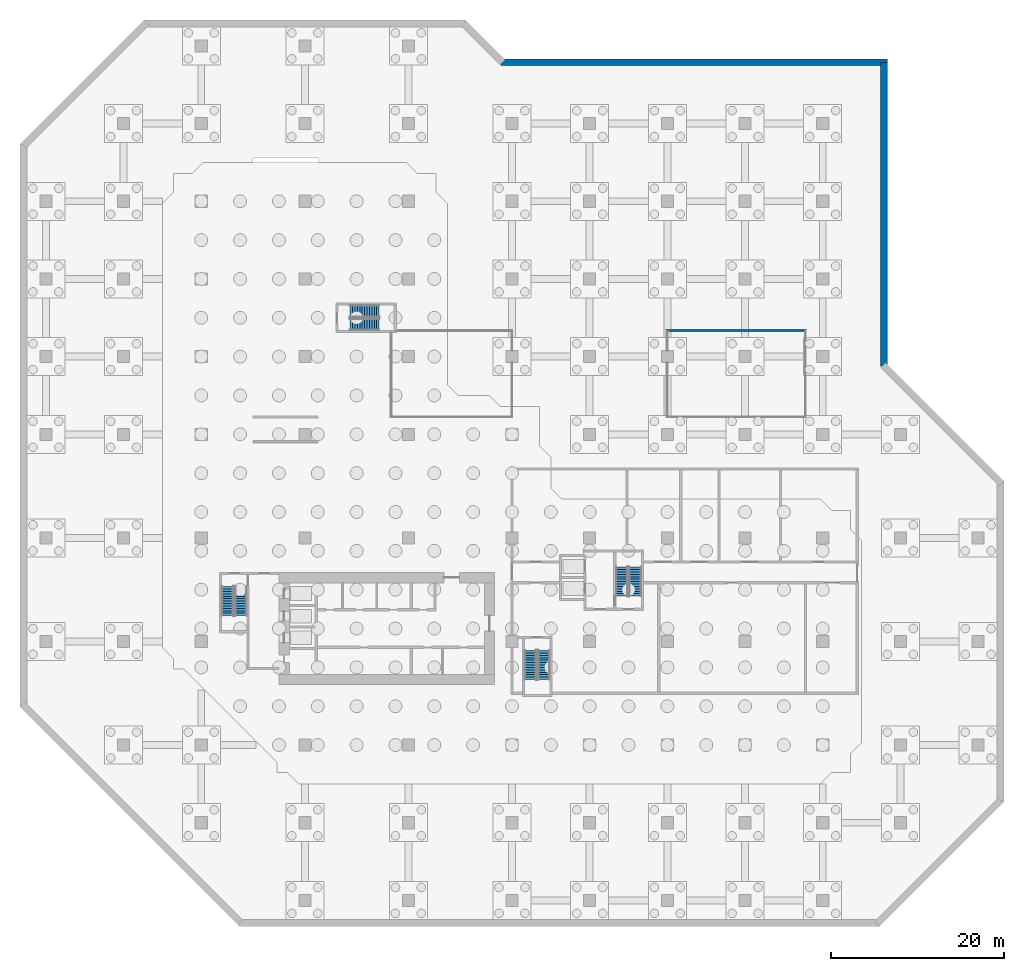
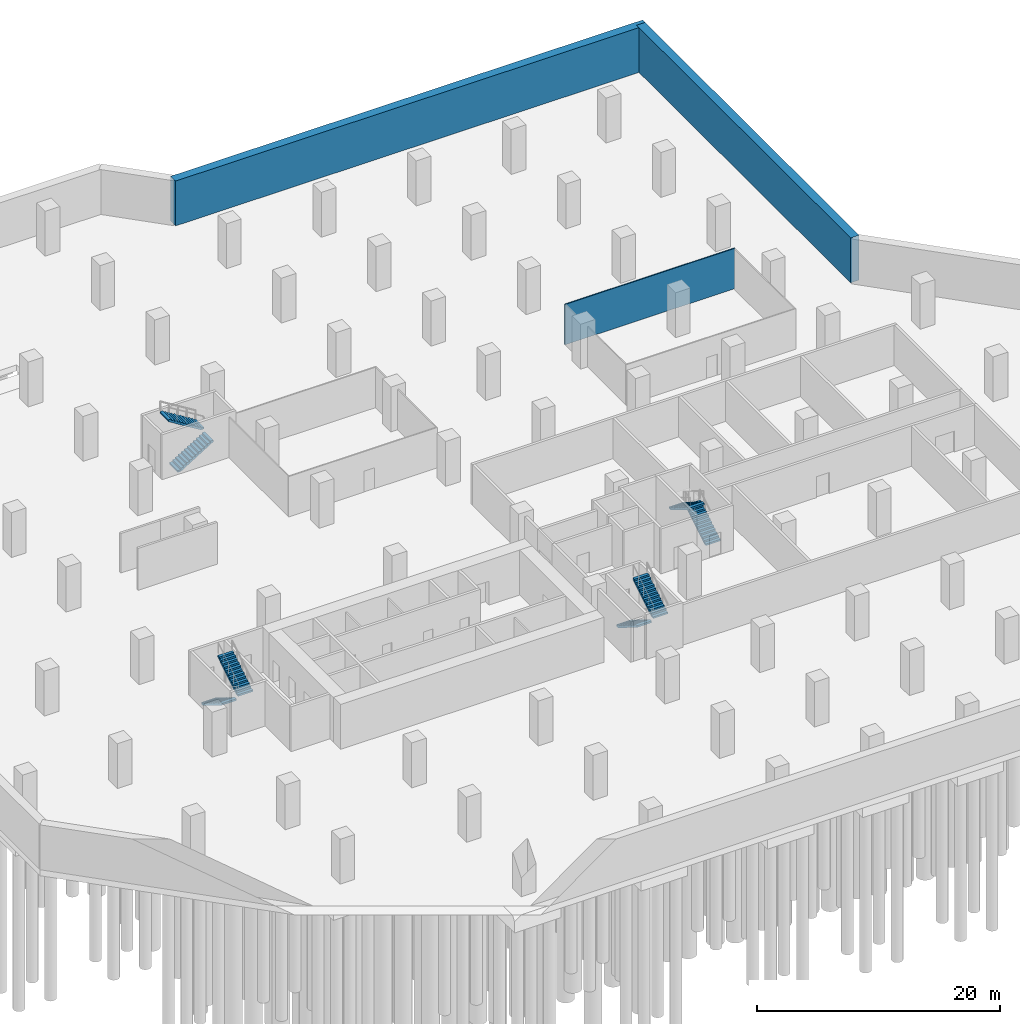
# One storey, part 11 of 13: 8 stair flights, 3 walls, 4 elements without a shape of their own.
"""IFC4 building model written with IfcOpenShell, lengths in metres."""

from ifc_helpers import new_model, si_unit, direction, frame, frame_2d, origin, place, context, subcontext, project, spatial, polyline, rectangle, outline, extrude, material, layer, layer_set, type_object, element, aggregate, save


model = new_model("IFC4")

# Units and contexts
model_context = context("Model", 3, precision=1e-05, world=origin(), true_north=direction((0.0, 1.0)))
body_context = subcontext(model_context, "Body", "Model", "MODEL_VIEW")
ifc_project = project(units=[si_unit("LENGTHUNIT", "METRE"), si_unit("AREAUNIT", "SQUARE_METRE"), si_unit("VOLUMEUNIT", "CUBIC_METRE"), si_unit("PLANEANGLEUNIT", "RADIAN"), si_unit("MASSUNIT", "GRAM", prefix="KILO")], contexts=[model_context])

# Site, building, storey
site_placement = place(None, origin())
site = spatial("IfcSite", under=ifc_project, at=site_placement, CompositionType="ELEMENT")
building_placement = place(site_placement, origin())
building = spatial("IfcBuilding", under=site, at=building_placement, Name="Chenar Terraces", CompositionType="ELEMENT")
storey_placement = place(building_placement, frame((0.0, 0.0, -13.5)))
storey = spatial("IfcBuildingStorey", under=building, at=storey_placement, Name="B3", CompositionType="ELEMENT", Elevation=-13.5)

# Walls
ifc_material_1 = material(Name="Concrete C40/50", Category="concrete")
ifc_layer_1 = layer(ifc_material_1, 0.800048828125)
ifc_layer_set_1 = layer_set([ifc_layer_1], Name="Concrete C40/50")
wall_type_1 = type_object("IfcWallType", Name="Diaphragm wall 800 Concrete C40/50", PredefinedType="SOLIDWALL", material=ifc_layer_set_1)
wall_1_placement = place(storey_placement, frame((79.10009765625, 43.91162109375, 0.0), z_axis=(0.0, 0.0, 1.0), x_axis=(0.0, 1.0, 0.0)))
element("IfcWall", 1, at=wall_1_placement, inside=storey, type_object=wall_type_1, Name="Diaphragm wall B3 10", PredefinedType="SOLIDWALL", context=body_context, shape_type="SweptSolid", body=[
    extrude(rectangle(XDim=35.1884765625, YDim=0.800048828125, at=frame_2d((17.59423828125, 0.0))), origin(), (0.0, 0.0, 1.0), 4.5),
])
wall_2_placement = place(storey_placement, frame((79.5, 79.10009765625, 0.0), z_axis=(0.0, 0.0, 1.0), x_axis=(-1.0, 0.0, 0.0)))
element("IfcWall", 2, at=wall_2_placement, inside=storey, type_object=wall_type_1, Name="Diaphragm wall B3 11", PredefinedType="SOLIDWALL", context=body_context, shape_type="SweptSolid", body=[
    extrude(rectangle(XDim=44.754150390625, YDim=0.800048828125, at=frame_2d((22.376953125, 0.0))), origin(), (0.0, 0.0, 1.0), 4.5),
])
ifc_material_2 = material(Name="Gypsum board on steel studs", Category="steel")
ifc_layer_2 = layer(ifc_material_2, 0.10009765625)
ifc_layer_set_2 = layer_set([ifc_layer_2], Name="Gypsum board on steel studs")
wall_type_2 = type_object("IfcWallType", Name="Gypsum partition 100", PredefinedType="PARTITIONING", material=ifc_layer_set_2)
wall_3_placement = place(storey_placement, frame((53.949951171875, 48.0, 0.0), z_axis=(0.0, 0.0, 1.0), x_axis=(1.0, 0.0, 0.0)))
element("IfcWall", 3, at=wall_3_placement, inside=storey, type_object=wall_type_2, Name="Partition B3-021", PredefinedType="PARTITIONING", context=body_context, shape_type="SweptSolid", body=[
    extrude(rectangle(XDim=16.10009765625, YDim=0.10009765625, at=frame_2d((8.050048828125, 0.0))), origin(), (0.0, 0.0, 1.0), 4.050048828125),
])

# Stair, stair flights
ifc_material_3 = material(Name="Reinforced concrete C40/50", Category="concrete")
stair_type = type_object("IfcStairType", Name="Core stair 1400 half-turn", PredefinedType="HALF_TURN_STAIR", material=ifc_material_3)
placement = place(storey_placement, origin())
stair_1 = element("IfcStair", 4, at=placement, inside=storey, type_object=stair_type, Name="B3 Stair 1", PredefinedType="HALF_TURN_STAIR")
ifc_material_4 = material(Name="Reinforced concrete C40/50", Category="concrete")
stair_flight_type = type_object("IfcStairFlightType", Name="Core stair flight 1400", PredefinedType="STRAIGHT", material=ifc_material_4)
stair_flight_1_placement = place(storey_placement, frame((3.050048828125, 18.35009765625, 0.0), z_axis=(0.0, 0.0, 1.0), x_axis=(0.0, -1.0, 0.0)))
stair_flight_1 = element("IfcStairFlight", 5, at=stair_flight_1_placement, type_object=stair_flight_type, Name="ST1 flight 1", NumberOfRisers=13, NumberOfTreads=12, PredefinedType="STRAIGHT", RiserHeight=0.173076923, TreadLength=0.28, context=body_context, shape_type="SweptSolid", body=[
    extrude(outline(polyline([(-0.0029296875, 0.0), (-0.0029296875, 0.173095703125), (0.0, 0.173095703125), (0.280029296875, 0.173095703125), (0.280029296875, 0.34619140625), (0.56005859375, 0.34619140625), (0.56005859375, 0.519287109375), (0.840087890625, 0.519287109375), (0.840087890625, 0.6923828125), (1.1201171875, 0.6923828125), (1.1201171875, 0.865478515625), (1.39990234375, 0.865478515625), (1.39990234375, 1.03857421875), (1.679931640625, 1.03857421875), (1.679931640625, 1.21142578125), (1.9599609375, 1.21142578125), (1.9599609375, 1.384521484375), (2.239990234375, 1.384521484375), (2.239990234375, 1.5576171875), (2.52001953125, 1.5576171875), (2.52001953125, 1.730712890625), (2.800048828125, 1.730712890625), (2.800048828125, 1.90380859375), (3.080078125, 1.90380859375), (3.080078125, 2.076904296875), (3.360107421875, 2.076904296875), (3.363037109375, 2.076904296875), (3.363037109375, 1.900634765625), (3.360107421875, 1.900634765625), (0.28515625, 0.0), (-0.0029296875, 0.0)])), frame((0.0, 0.699951171875, 0.0), z_axis=(0.0, -1.0, 0.0), x_axis=(1.0, 0.0, 0.0)), (0.0, 0.0, 1.0), 1.39990234375),
])
stair_flight_2_placement = place(storey_placement, frame((4.60009765625, 14.989990234375, 2.25), z_axis=(0.0, 0.0, 1.0), x_axis=(0.0, 1.0, 0.0)))
stair_flight_2 = element("IfcStairFlight", 6, at=stair_flight_2_placement, type_object=stair_flight_type, Name="ST1 flight 2", NumberOfRisers=13, NumberOfTreads=12, PredefinedType="STRAIGHT", RiserHeight=0.173076923, TreadLength=0.28, context=body_context, shape_type="SweptSolid", body=[
    extrude(outline(polyline([(-0.0029296875, 0.0), (-0.0029296875, 0.173095703125), (0.0, 0.173095703125), (0.280029296875, 0.173095703125), (0.280029296875, 0.34619140625), (0.56005859375, 0.34619140625), (0.56005859375, 0.519287109375), (0.840087890625, 0.519287109375), (0.840087890625, 0.6923828125), (1.1201171875, 0.6923828125), (1.1201171875, 0.865478515625), (1.39990234375, 0.865478515625), (1.39990234375, 1.03857421875), (1.679931640625, 1.03857421875), (1.679931640625, 1.21142578125), (1.9599609375, 1.21142578125), (1.9599609375, 1.384521484375), (2.239990234375, 1.384521484375), (2.239990234375, 1.5576171875), (2.52001953125, 1.5576171875), (2.52001953125, 1.730712890625), (2.800048828125, 1.730712890625), (2.800048828125, 1.90380859375), (3.080078125, 1.90380859375), (3.080078125, 2.076904296875), (3.360107421875, 2.076904296875), (3.363037109375, 2.076904296875), (3.363037109375, 1.900634765625), (3.360107421875, 1.900634765625), (0.28515625, 0.0), (-0.0029296875, 0.0)])), frame((0.0, 0.699951171875, 0.0), z_axis=(0.0, -1.0, 0.0), x_axis=(1.0, 0.0, 0.0)), (0.0, 0.0, 1.0), 1.39990234375),
])
aggregate(stair_1, [stair_flight_1, stair_flight_2])

stair_2 = element("IfcStair", 7, at=placement, inside=storey, type_object=stair_type, Name="B3 Stair 2", PredefinedType="HALF_TURN_STAIR")
stair_flight_3_placement = place(storey_placement, frame((38.14990234375, 10.949951171875, 0.0), z_axis=(0.0, 0.0, 1.0), x_axis=(0.0, -1.0, 0.0)))
stair_flight_3 = element("IfcStairFlight", 8, at=stair_flight_3_placement, type_object=stair_flight_type, Name="ST2 flight 1", NumberOfRisers=13, NumberOfTreads=12, PredefinedType="STRAIGHT", RiserHeight=0.173076923, TreadLength=0.28, context=body_context, shape_type="SweptSolid", body=[
    extrude(outline(polyline([(-0.0029296875, 0.0), (-0.0029296875, 0.173095703125), (0.0, 0.173095703125), (0.280029296875, 0.173095703125), (0.280029296875, 0.34619140625), (0.56005859375, 0.34619140625), (0.56005859375, 0.519287109375), (0.840087890625, 0.519287109375), (0.840087890625, 0.6923828125), (1.1201171875, 0.6923828125), (1.1201171875, 0.865478515625), (1.39990234375, 0.865478515625), (1.39990234375, 1.03857421875), (1.679931640625, 1.03857421875), (1.679931640625, 1.21142578125), (1.9599609375, 1.21142578125), (1.9599609375, 1.384521484375), (2.239990234375, 1.384521484375), (2.239990234375, 1.5576171875), (2.52001953125, 1.5576171875), (2.52001953125, 1.730712890625), (2.800048828125, 1.730712890625), (2.800048828125, 1.90380859375), (3.080078125, 1.90380859375), (3.080078125, 2.076904296875), (3.360107421875, 2.076904296875), (3.363037109375, 2.076904296875), (3.363037109375, 1.900634765625), (3.360107421875, 1.900634765625), (0.28515625, 0.0), (-0.0029296875, 0.0)])), frame((0.0, 0.699951171875, 0.0), z_axis=(0.0, -1.0, 0.0), x_axis=(1.0, 0.0, 0.0)), (0.0, 0.0, 1.0), 1.39990234375),
])
stair_flight_4_placement = place(storey_placement, frame((39.699951171875, 7.590087890625, 2.25), z_axis=(0.0, 0.0, 1.0), x_axis=(0.0, 1.0, 0.0)))
stair_flight_4 = element("IfcStairFlight", 9, at=stair_flight_4_placement, type_object=stair_flight_type, Name="ST2 flight 2", NumberOfRisers=13, NumberOfTreads=12, PredefinedType="STRAIGHT", RiserHeight=0.173076923, TreadLength=0.28, context=body_context, shape_type="SweptSolid", body=[
    extrude(outline(polyline([(-0.0029296875, 0.0), (-0.0029296875, 0.173095703125), (0.0, 0.173095703125), (0.280029296875, 0.173095703125), (0.280029296875, 0.34619140625), (0.56005859375, 0.34619140625), (0.56005859375, 0.519287109375), (0.840087890625, 0.519287109375), (0.840087890625, 0.6923828125), (1.1201171875, 0.6923828125), (1.1201171875, 0.865478515625), (1.39990234375, 0.865478515625), (1.39990234375, 1.03857421875), (1.679931640625, 1.03857421875), (1.679931640625, 1.21142578125), (1.9599609375, 1.21142578125), (1.9599609375, 1.384521484375), (2.239990234375, 1.384521484375), (2.239990234375, 1.5576171875), (2.52001953125, 1.5576171875), (2.52001953125, 1.730712890625), (2.800048828125, 1.730712890625), (2.800048828125, 1.90380859375), (3.080078125, 1.90380859375), (3.080078125, 2.076904296875), (3.360107421875, 2.076904296875), (3.363037109375, 2.076904296875), (3.363037109375, 1.900634765625), (3.360107421875, 1.900634765625), (0.28515625, 0.0), (-0.0029296875, 0.0)])), frame((0.0, 0.699951171875, 0.0), z_axis=(0.0, -1.0, 0.0), x_axis=(1.0, 0.0, 0.0)), (0.0, 0.0, 1.0), 1.39990234375),
])
aggregate(stair_2, [stair_flight_3, stair_flight_4])

stair_3 = element("IfcStair", 10, at=placement, inside=storey, type_object=stair_type, Name="B3 Stair 3", PredefinedType="HALF_TURN_STAIR")
stair_flight_5_placement = place(storey_placement, frame((50.27490234375, 17.25, 0.0), z_axis=(0.0, 0.0, 1.0), x_axis=(0.0, 1.0, 0.0)))
stair_flight_5 = element("IfcStairFlight", 11, at=stair_flight_5_placement, type_object=stair_flight_type, Name="ST3 flight 1", NumberOfRisers=13, NumberOfTreads=12, PredefinedType="STRAIGHT", RiserHeight=0.173076923, TreadLength=0.28, context=body_context, shape_type="SweptSolid", body=[
    extrude(outline(polyline([(-0.0029296875, 0.0), (-0.0029296875, 0.173095703125), (0.0, 0.173095703125), (0.280029296875, 0.173095703125), (0.280029296875, 0.34619140625), (0.56005859375, 0.34619140625), (0.56005859375, 0.519287109375), (0.840087890625, 0.519287109375), (0.840087890625, 0.6923828125), (1.1201171875, 0.6923828125), (1.1201171875, 0.865478515625), (1.39990234375, 0.865478515625), (1.39990234375, 1.03857421875), (1.679931640625, 1.03857421875), (1.679931640625, 1.21142578125), (1.9599609375, 1.21142578125), (1.9599609375, 1.384521484375), (2.239990234375, 1.384521484375), (2.239990234375, 1.5576171875), (2.52001953125, 1.5576171875), (2.52001953125, 1.730712890625), (2.800048828125, 1.730712890625), (2.800048828125, 1.90380859375), (3.080078125, 1.90380859375), (3.080078125, 2.076904296875), (3.360107421875, 2.076904296875), (3.363037109375, 2.076904296875), (3.363037109375, 1.900634765625), (3.360107421875, 1.900634765625), (0.28515625, 0.0), (-0.0029296875, 0.0)])), frame((0.0, 0.699951171875, 0.0), z_axis=(0.0, -1.0, 0.0), x_axis=(1.0, 0.0, 0.0)), (0.0, 0.0, 1.0), 1.39990234375),
])
stair_flight_6_placement = place(storey_placement, frame((48.72509765625, 20.610107421875, 2.25), z_axis=(0.0, 0.0, 1.0), x_axis=(0.0, -1.0, 0.0)))
stair_flight_6 = element("IfcStairFlight", 12, at=stair_flight_6_placement, type_object=stair_flight_type, Name="ST3 flight 2", NumberOfRisers=13, NumberOfTreads=12, PredefinedType="STRAIGHT", RiserHeight=0.173076923, TreadLength=0.28, context=body_context, shape_type="SweptSolid", body=[
    extrude(outline(polyline([(-0.0029296875, 0.0), (-0.0029296875, 0.173095703125), (0.0, 0.173095703125), (0.280029296875, 0.173095703125), (0.280029296875, 0.34619140625), (0.56005859375, 0.34619140625), (0.56005859375, 0.519287109375), (0.840087890625, 0.519287109375), (0.840087890625, 0.6923828125), (1.1201171875, 0.6923828125), (1.1201171875, 0.865478515625), (1.39990234375, 0.865478515625), (1.39990234375, 1.03857421875), (1.679931640625, 1.03857421875), (1.679931640625, 1.21142578125), (1.9599609375, 1.21142578125), (1.9599609375, 1.384521484375), (2.239990234375, 1.384521484375), (2.239990234375, 1.5576171875), (2.52001953125, 1.5576171875), (2.52001953125, 1.730712890625), (2.800048828125, 1.730712890625), (2.800048828125, 1.90380859375), (3.080078125, 1.90380859375), (3.080078125, 2.076904296875), (3.360107421875, 2.076904296875), (3.363037109375, 2.076904296875), (3.363037109375, 1.900634765625), (3.360107421875, 1.900634765625), (0.28515625, 0.0), (-0.0029296875, 0.0)])), frame((0.0, 0.699951171875, 0.0), z_axis=(0.0, -1.0, 0.0), x_axis=(1.0, 0.0, 0.0)), (0.0, 0.0, 1.0), 1.39990234375),
])
aggregate(stair_3, [stair_flight_5, stair_flight_6])

stair_4 = element("IfcStair", 13, at=placement, inside=storey, type_object=stair_type, Name="B3 Stair 4", PredefinedType="HALF_TURN_STAIR")
stair_flight_7_placement = place(storey_placement, frame((17.25, 48.72509765625, 0.0), z_axis=(0.0, 0.0, 1.0), x_axis=(1.0, 0.0, 0.0)))
stair_flight_7 = element("IfcStairFlight", 14, at=stair_flight_7_placement, type_object=stair_flight_type, Name="ST4 flight 1", NumberOfRisers=13, NumberOfTreads=12, PredefinedType="STRAIGHT", RiserHeight=0.173076923, TreadLength=0.28, context=body_context, shape_type="SweptSolid", body=[
    extrude(outline(polyline([(-0.0029296875, 0.0), (-0.0029296875, 0.173095703125), (0.0, 0.173095703125), (0.280029296875, 0.173095703125), (0.280029296875, 0.34619140625), (0.56005859375, 0.34619140625), (0.56005859375, 0.519287109375), (0.840087890625, 0.519287109375), (0.840087890625, 0.6923828125), (1.1201171875, 0.6923828125), (1.1201171875, 0.865478515625), (1.39990234375, 0.865478515625), (1.39990234375, 1.03857421875), (1.679931640625, 1.03857421875), (1.679931640625, 1.21142578125), (1.9599609375, 1.21142578125), (1.9599609375, 1.384521484375), (2.239990234375, 1.384521484375), (2.239990234375, 1.5576171875), (2.52001953125, 1.5576171875), (2.52001953125, 1.730712890625), (2.800048828125, 1.730712890625), (2.800048828125, 1.90380859375), (3.080078125, 1.90380859375), (3.080078125, 2.076904296875), (3.360107421875, 2.076904296875), (3.363037109375, 2.076904296875), (3.363037109375, 1.900634765625), (3.360107421875, 1.900634765625), (0.28515625, 0.0), (-0.0029296875, 0.0)])), frame((0.0, 0.699951171875, 0.0), z_axis=(0.0, -1.0, 0.0), x_axis=(1.0, 0.0, 0.0)), (0.0, 0.0, 1.0), 1.39990234375),
])
stair_flight_8_placement = place(storey_placement, frame((20.610107421875, 50.27490234375, 2.25), z_axis=(0.0, 0.0, 1.0), x_axis=(-1.0, 0.0, 0.0)))
stair_flight_8 = element("IfcStairFlight", 15, at=stair_flight_8_placement, type_object=stair_flight_type, Name="ST4 flight 2", NumberOfRisers=13, NumberOfTreads=12, PredefinedType="STRAIGHT", RiserHeight=0.173076923, TreadLength=0.28, context=body_context, shape_type="SweptSolid", body=[
    extrude(outline(polyline([(-0.0029296875, 0.0), (-0.0029296875, 0.173095703125), (0.0, 0.173095703125), (0.280029296875, 0.173095703125), (0.280029296875, 0.34619140625), (0.56005859375, 0.34619140625), (0.56005859375, 0.519287109375), (0.840087890625, 0.519287109375), (0.840087890625, 0.6923828125), (1.1201171875, 0.6923828125), (1.1201171875, 0.865478515625), (1.39990234375, 0.865478515625), (1.39990234375, 1.03857421875), (1.679931640625, 1.03857421875), (1.679931640625, 1.21142578125), (1.9599609375, 1.21142578125), (1.9599609375, 1.384521484375), (2.239990234375, 1.384521484375), (2.239990234375, 1.5576171875), (2.52001953125, 1.5576171875), (2.52001953125, 1.730712890625), (2.800048828125, 1.730712890625), (2.800048828125, 1.90380859375), (3.080078125, 1.90380859375), (3.080078125, 2.076904296875), (3.360107421875, 2.076904296875), (3.363037109375, 2.076904296875), (3.363037109375, 1.900634765625), (3.360107421875, 1.900634765625), (0.28515625, 0.0), (-0.0029296875, 0.0)])), frame((0.0, 0.699951171875, 0.0), z_axis=(0.0, -1.0, 0.0), x_axis=(1.0, 0.0, 0.0)), (0.0, 0.0, 1.0), 1.39990234375),
])
aggregate(stair_4, [stair_flight_7, stair_flight_8])

save(model, "model.ifc")
